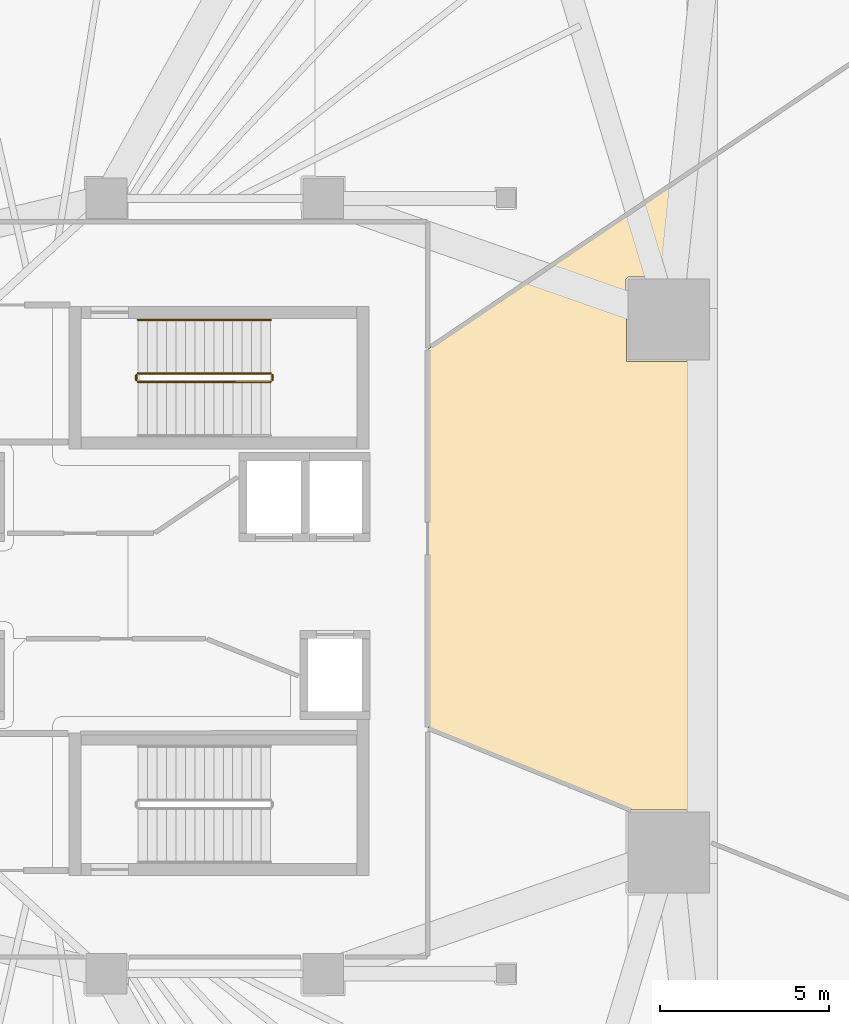
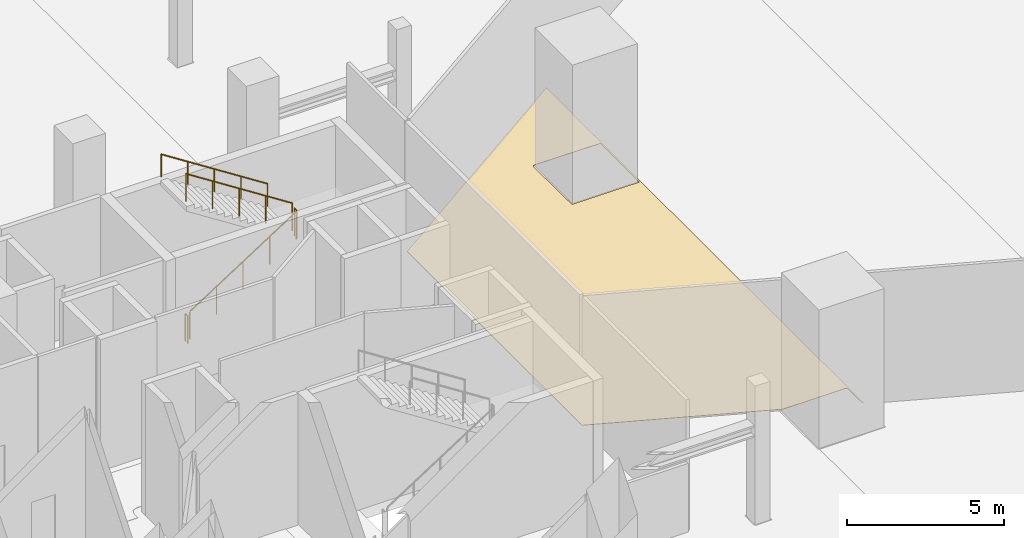
# One storey, part 35 of 36: 5 railings, 1 covering.
"""IFC4 building model written with IfcOpenShell, lengths in metres."""

from ifc_helpers import new_model, si_unit, direction, frame, origin, origin_2d, place, context, subcontext, project, spatial, polyline, circle, outline, extrude, material, layer, layer_set, type_object, element, save


model = new_model("IFC4")

# Units and contexts
model_context = context("Model", 3, precision=1e-05, world=origin(), true_north=direction((0.0, 1.0)))
body_context = subcontext(model_context, "Body", "Model", "MODEL_VIEW")
ifc_project = project(units=[si_unit("LENGTHUNIT", "METRE"), si_unit("AREAUNIT", "SQUARE_METRE"), si_unit("VOLUMEUNIT", "CUBIC_METRE"), si_unit("PLANEANGLEUNIT", "RADIAN"), si_unit("MASSUNIT", "GRAM", prefix="KILO")], contexts=[model_context])

# Site, building, storey
site_placement = place(None, origin())
site = spatial("IfcSite", under=ifc_project, at=site_placement, CompositionType="ELEMENT")
building_placement = place(site_placement, origin())
building = spatial("IfcBuilding", under=site, at=building_placement, Name="Qorvath Tower", CompositionType="ELEMENT")
storey_placement = place(building_placement, frame((0.0, 0.0, 27.0)))
storey = spatial("IfcBuildingStorey", under=building, at=storey_placement, Name="L05", CompositionType="ELEMENT", Elevation=27.0)

# Covering
ifc_material_1 = material(Name="Low-VOC modular carpet tile", Category="textile")
ifc_layer = layer(ifc_material_1, 0.014892578125)
ifc_layer_set = layer_set([ifc_layer], Name="COV-FLOOR-CPT")
covering_type = type_object("IfcCoveringType", Name="COV-FLOOR-CPT", PredefinedType="FLOORING", material=ifc_layer_set)
covering_placement = place(storey_placement, origin())
element("IfcCovering", 1, at=covering_placement, inside=storey, type_object=covering_type, Name="L05 Floor Finish 018", PredefinedType="FLOORING", context=body_context, shape_type="SweptSolid", body=[
    extrude(outline(polyline([(-5.6943359375, -7.58447265625), (-5.6943359375, 12.6689453125), (-14.10693359375, 6.994384765625), (-14.10693359375, -4.185302734375), (-8.101318359375, -6.612060546875), (-5.7919921875, -6.612060546875), (-5.73193359375, -6.672119140625), (-5.73193359375, -7.5693359375), (-5.6943359375, -7.58447265625)]), holes=[polyline([(-8.251953125, 9.072021484375), (-8.19189453125, 9.132080078125), (-5.74951171875, 9.114501953125), (-5.74951171875, 6.629638671875), (-8.234375, 6.629638671875), (-8.251953125, 9.072021484375)])]), origin(), (0.0, 0.0, 1.0), 0.014892578125),
])

# Railings
ifc_material_2 = material(Name="Painted galvanised steel", Category="steel")
railing_type_1 = type_object("IfcRailingType", Name="RL-STR-GRD", PredefinedType="GUARDRAIL", material=ifc_material_2)
railing_1_placement = place(storey_placement, frame((-22.669921875, 6.030029296875, 0.179931640625)))
element("IfcRailing", 2, at=railing_1_placement, inside=storey, type_object=railing_type_1, Name="L05 TS1 stair guard 1", PredefinedType="GUARDRAIL", context=body_context, shape_type="SweptSolid", body=[
    extrude(circle(Radius=0.02392578125, at=origin_2d()), frame((0.0, 0.0, 1.076171875), z_axis=(0.841171666519, 0.0, 0.540768182723), x_axis=(0.0, 1.0, 0.0)), (0.0, 0.0, 1.0), 4.66015625),
    extrude(circle(Radius=0.02099609375, at=origin_2d()), origin(), (0.0, 0.0, 1.0), 1.052001953125),
    extrude(circle(Radius=0.02099609375, at=origin_2d()), frame((0.97998046875, 0.0, 0.6298828125)), (0.0, 0.0, 1.0), 1.052001953125),
    extrude(circle(Radius=0.02099609375, at=origin_2d()), frame((1.9599609375, 0.0, 1.260009765625)), (0.0, 0.0, 1.0), 1.052001953125),
    extrude(circle(Radius=0.02099609375, at=origin_2d()), frame((2.93994140625, 0.0, 1.89013671875)), (0.0, 0.0, 1.0), 1.052001953125),
    extrude(circle(Radius=0.02099609375, at=origin_2d()), frame((3.919921875, 0.0, 2.52001953125)), (0.0, 0.0, 1.0), 1.052001953125),
])
railing_2_placement = place(storey_placement, frame((-18.699951171875, 6.080078125, 2.699951171875)))
element("IfcRailing", 3, at=railing_2_placement, inside=storey, type_object=railing_type_1, Name="L05 TS1 stair guard 2", PredefinedType="GUARDRAIL", context=body_context, shape_type="SweptSolid", body=[
    extrude(circle(Radius=0.02392578125, at=origin_2d()), frame((0.0, 0.0, 1.076171875), z_axis=(0.0, 1.0, 0.0), x_axis=(-1.0, 0.0, 0.0)), (0.0, 0.0, 1.0), 0.14990234375),
    extrude(circle(Radius=0.02099609375, at=origin_2d()), origin(), (0.0, 0.0, 1.0), 1.052001953125),
    extrude(circle(Radius=0.02099609375, at=origin_2d()), frame((0.0, 0.14990234375, 0.0)), (0.0, 0.0, 1.0), 1.052001953125),
])
railing_3_placement = place(storey_placement, frame((-18.75, 6.280029296875, 2.8798828125)))
element("IfcRailing", 4, at=railing_3_placement, inside=storey, type_object=railing_type_1, Name="L05 TS1 stair guard 3", PredefinedType="GUARDRAIL", context=body_context, shape_type="SweptSolid", body=[
    extrude(circle(Radius=0.02392578125, at=origin_2d()), frame((0.0, 0.0, 1.076171875), z_axis=(-0.841171666519, 0.0, 0.540768182723), x_axis=(0.0, -1.0, 0.0)), (0.0, 0.0, 1.0), 4.66015625),
    extrude(circle(Radius=0.02099609375, at=origin_2d()), origin(), (0.0, 0.0, 1.0), 1.052001953125),
    extrude(circle(Radius=0.02099609375, at=origin_2d()), frame((-0.97998046875, 0.0, 0.6298828125)), (0.0, 0.0, 1.0), 1.052001953125),
    extrude(circle(Radius=0.02099609375, at=origin_2d()), frame((-1.9599609375, 0.0, 1.260009765625)), (0.0, 0.0, 1.0), 1.052001953125),
    extrude(circle(Radius=0.02099609375, at=origin_2d()), frame((-2.93994140625, 0.0, 1.89013671875)), (0.0, 0.0, 1.0), 1.052001953125),
    extrude(circle(Radius=0.02099609375, at=origin_2d()), frame((-3.919921875, 0.0, 2.52001953125)), (0.0, 0.0, 1.0), 1.052001953125),
])
railing_4_placement = place(storey_placement, frame((-22.719970703125, 6.080078125, 0.0)))
element("IfcRailing", 5, at=railing_4_placement, inside=storey, type_object=railing_type_1, Name="L05 TS1 stair guard 4", PredefinedType="GUARDRAIL", context=body_context, shape_type="SweptSolid", body=[
    extrude(circle(Radius=0.02392578125, at=origin_2d()), frame((0.0, 0.0, 1.076171875), z_axis=(0.0, 1.0, 0.0), x_axis=(-1.0, 0.0, 0.0)), (0.0, 0.0, 1.0), 0.14990234375),
    extrude(circle(Radius=0.02099609375, at=origin_2d()), origin(), (0.0, 0.0, 1.0), 1.052001953125),
    extrude(circle(Radius=0.02099609375, at=origin_2d()), frame((0.0, 0.14990234375, 0.0)), (0.0, 0.0, 1.0), 1.052001953125),
])
ifc_material_3 = material(Name="Brushed stainless steel AISI 304", Category="steel")
railing_type_2 = type_object("IfcRailingType", Name="RL-STR-HND", PredefinedType="HANDRAIL", material=ifc_material_3)
railing_5_placement = place(storey_placement, frame((-18.75, 7.860107421875, 2.8798828125)))
element("IfcRailing", 6, at=railing_5_placement, inside=storey, type_object=railing_type_2, Name="L05 TS1 stair handrail 2", PredefinedType="HANDRAIL", context=body_context, shape_type="SweptSolid", body=[
    extrude(circle(Radius=0.02392578125, at=origin_2d()), frame((0.0, 0.0, 0.8759765625), z_axis=(-0.841171666519, 0.0, 0.540768182723), x_axis=(0.0, -1.0, 0.0)), (0.0, 0.0, 1.0), 4.66015625),
    extrude(circle(Radius=0.02099609375, at=origin_2d()), origin(), (0.0, 0.0, 1.0), 0.851806640625),
    extrude(circle(Radius=0.02099609375, at=origin_2d()), frame((-0.97998046875, 0.0, 0.6298828125)), (0.0, 0.0, 1.0), 0.851806640625),
    extrude(circle(Radius=0.02099609375, at=origin_2d()), frame((-1.9599609375, 0.0, 1.260009765625)), (0.0, 0.0, 1.0), 0.851806640625),
    extrude(circle(Radius=0.02099609375, at=origin_2d()), frame((-2.93994140625, 0.0, 1.89013671875)), (0.0, 0.0, 1.0), 0.851806640625),
    extrude(circle(Radius=0.02099609375, at=origin_2d()), frame((-3.919921875, 0.0, 2.52001953125)), (0.0, 0.0, 1.0), 0.851806640625),
])

save(model, "model.ifc")
